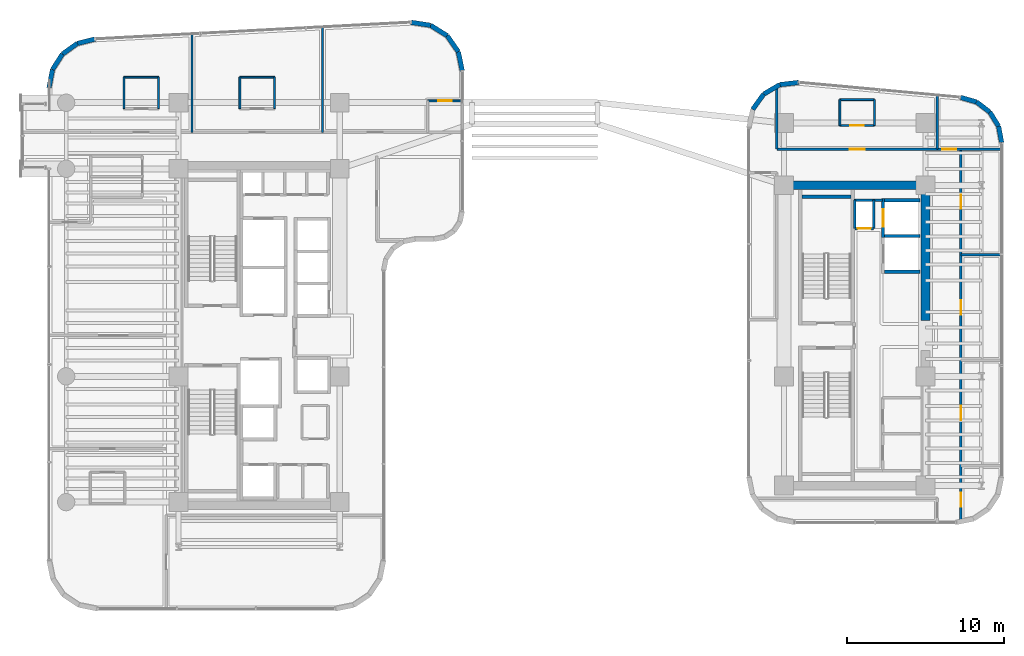
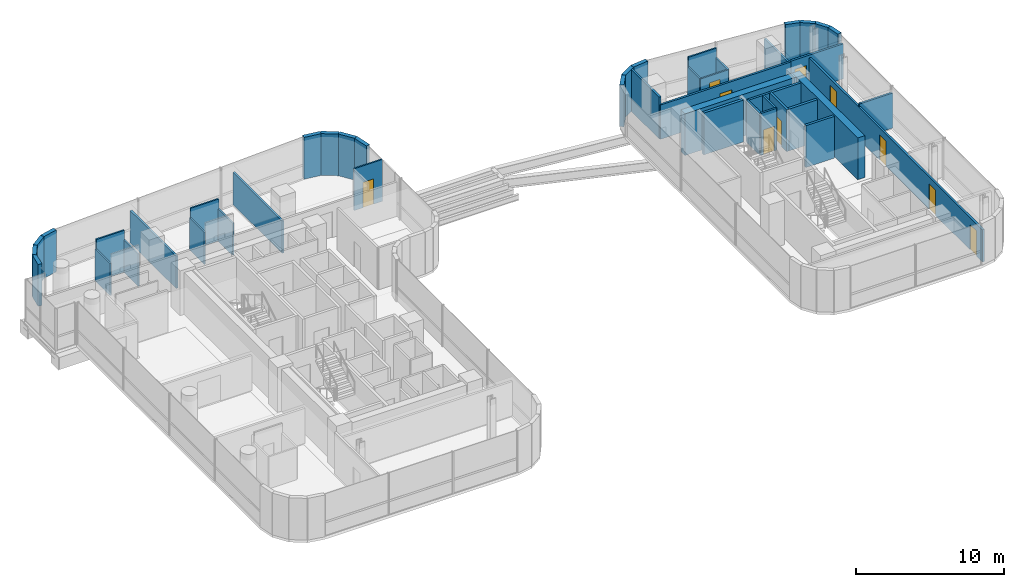
# One storey, part 31 of 36: 45 walls, 10 doors, 10 openings.
"""IFC4 building model written with IfcOpenShell, lengths in metres."""

import ifcopenshell
import ifcopenshell.guid

model = None  # the IFC model being written
_history = None  # IfcOwnerHistory: only IFC2X3 demands one
_inside = {}  # id of a spatial element -> (the spatial element, [elements in it])
_under = {}  # id of a project, library or spatial element -> (it, [spatial elements below it])
_declared = {}  # id of a project -> (the project, [libraries it declares])
_typed = {}  # id of a type object -> (the type object, [elements of that type])
_made_of = {}  # id of a material, layer set ... -> (it, [elements and type objects made of it])


def new_model(schema):
    """Start an empty IFC model of exactly this schema.

    Asked for "IFC4X3", IfcOpenShell would pick the latest addendum, in which some entities
    have other attributes; the version numbers below select the first issue.
    IFC2X3 requires an IfcOwnerHistory on every rooted entity: one is made here for all.
    """
    global model, _history
    if schema == "IFC4X3":
        model = ifcopenshell.file(schema_version=(4, 3, 0, 0))
    else:
        model = ifcopenshell.file(schema=schema)
    _inside.clear()
    _under.clear()
    _declared.clear()
    _typed.clear()
    _made_of.clear()
    _history = None
    if model.schema == "IFC2X3":
        org = make("IfcOrganization", Name="unknown")
        user = make(
            "IfcPersonAndOrganization",
            ThePerson=make("IfcPerson", FamilyName="unknown"),
            TheOrganization=org,
        )
        app = make(
            "IfcApplication",
            ApplicationDeveloper=org,
            Version="unknown",
            ApplicationFullName="unknown",
            ApplicationIdentifier="unknown",
        )
        _history = make(
            "IfcOwnerHistory",
            OwningUser=user,
            OwningApplication=app,
            ChangeAction="ADDED",
            CreationDate=0,
        )
    return model


def make(cls, **values):
    """One entity of the class cls with the attributes given. An attribute that is None is left unset."""
    return model.create_entity(
        cls, **{name: value for name, value in values.items() if value is not None}
    )


def rooted(cls, **values):
    """An entity with a GlobalId (a new one), such as an element, a storey or a relation."""
    return make(cls, GlobalId=ifcopenshell.guid.new(), OwnerHistory=_history, **values)


def si_unit(unit_type, name, prefix=None):
    """IfcSIUnit, for example si_unit("LENGTHUNIT", "METRE", prefix="MILLI")."""
    return make("IfcSIUnit", UnitType=unit_type, Prefix=prefix, Name=name)


def assignment(units):
    """IfcUnitAssignment: the units of a project."""
    return None if units is None else make("IfcUnitAssignment", Units=units)


def point(xyz):
    """IfcCartesianPoint."""
    return None if xyz is None else make("IfcCartesianPoint", Coordinates=xyz)


def direction(xyz):
    """IfcDirection."""
    return None if xyz is None else make("IfcDirection", DirectionRatios=xyz)


def frame(location, z_axis=None, x_axis=None):
    """IfcAxis2Placement3D, a coordinate frame: its origin and axes. An axis left out is left unset."""
    return make(
        "IfcAxis2Placement3D",
        Location=point(location),
        Axis=direction(z_axis),
        RefDirection=direction(x_axis),
    )


def frame_2d(location, x_axis=None):
    """IfcAxis2Placement2D, a coordinate frame in the plane: its origin and x axis."""
    return make(
        "IfcAxis2Placement2D", Location=point(location), RefDirection=direction(x_axis)
    )


def origin():
    """The frame at (0, 0, 0) with its axes left unset."""
    return frame((0.0, 0.0, 0.0))


def place(relative_to, where):
    """IfcLocalPlacement: puts the frame where relative to a parent placement (None: the world)."""
    return make(
        "IfcLocalPlacement", PlacementRelTo=relative_to, RelativePlacement=where
    )


def context(
    kind, dimensions, precision=None, world=None, true_north=None, identifier=None
):
    """IfcGeometricRepresentationContext, for example the 3D "Model" context."""
    return make(
        "IfcGeometricRepresentationContext",
        ContextIdentifier=identifier,
        ContextType=kind,
        CoordinateSpaceDimension=dimensions,
        Precision=precision,
        WorldCoordinateSystem=world,
        TrueNorth=true_north,
    )


def subcontext(parent, identifier, kind, view, scale=None):
    """IfcGeometricRepresentationSubContext, for example "Body" below "Model"."""
    return make(
        "IfcGeometricRepresentationSubContext",
        ContextIdentifier=identifier,
        ContextType=kind,
        ParentContext=parent,
        TargetScale=scale,
        TargetView=view,
    )


def project(units=None, contexts=None):
    """IfcProject with its units and contexts."""
    return rooted(
        "IfcProject",
        Name="project",
        RepresentationContexts=contexts,
        UnitsInContext=assignment(units),
    )


def spatial(cls, under=None, at=None, **own):
    """A site, building, storey or space (cls), placed at a placement, below another one or the project."""
    s = rooted(cls, ObjectPlacement=at, **own)
    if under is not None:
        _under.setdefault(under.id(), (under, []))[1].append(s)
    return s


def profile(cls, at=None, kind="AREA", **sizes):
    """A parametric profile (cls). Its sizes go by their IFC names, for example OverallWidth=200.0."""
    return make(cls, ProfileType=kind, Position=at, **sizes)


def rectangle(**sizes):
    """IfcRectangleProfileDef."""
    return profile("IfcRectangleProfileDef", **sizes)


def extrude(swept, where, along, depth):
    """IfcExtrudedAreaSolid: the profile swept, set in the frame where, extruded along a direction by depth."""
    return make(
        "IfcExtrudedAreaSolid",
        SweptArea=swept,
        Position=where,
        ExtrudedDirection=direction(along),
        Depth=depth,
    )


def shape(context_of_items, identifier, shape_type, items):
    """IfcShapeRepresentation: the items that make up one representation, for example the "Body"."""
    return make(
        "IfcShapeRepresentation",
        ContextOfItems=context_of_items,
        RepresentationIdentifier=identifier,
        RepresentationType=shape_type,
        Items=items,
    )


def material(Name=None, Category=None):
    """IfcMaterial."""
    return make("IfcMaterial", Name=Name, Category=Category)


def layer(
    of_material, thickness, ventilated=None, Name=None, Category=None, Priority=None
):
    """IfcMaterialLayer: one layer of a wall or slab, of a material (None: an air gap)."""
    return make(
        "IfcMaterialLayer",
        Material=of_material,
        LayerThickness=thickness,
        IsVentilated=ventilated,
        Name=Name,
        Category=Category,
        Priority=Priority,
    )


def layer_set(layers, Name=None):
    """IfcMaterialLayerSet."""
    return make("IfcMaterialLayerSet", MaterialLayers=layers, LayerSetName=Name)


def made_of(thing, what):
    """Note that an element or type object is made of a material, layer set ...; save() writes the relation."""
    if what is not None:
        _made_of.setdefault(what.id(), (what, []))[1].append(thing)
    return thing


def type_object(cls, material=None, **own):
    """A type object (cls), such as IfcWallType, which elements share."""
    return made_of(rooted(cls, **own), material)


def element(
    cls,
    number,
    at=None,
    inside=None,
    cuts=None,
    type_object=None,
    material=None,
    context=None,
    identifier="Body",
    shape_type=None,
    held_by="IfcProductDefinitionShape",
    body=None,
    shapes=None,
    **own,
):
    """One element of the class cls, such as IfcWall. Its Tag is "e" and its number.

    at: its placement. inside: the storey or other place that contains it. cuts: it is an
    opening in that element (IfcRelVoidsElement). A single representation is given by context,
    identifier, shape_type and body (its items); several are given by shapes. held_by: the class
    of the entity that holds the representations. save() writes the other relations.
    """
    e = rooted(cls, Tag="e%d" % number, ObjectPlacement=at, **own)
    if body is not None:
        shapes = [shape(context, identifier, shape_type, body)]
    if shapes is not None:
        e.Representation = make(held_by, Representations=shapes)
    if inside is not None:
        _inside.setdefault(inside.id(), (inside, []))[1].append(e)
    if cuts is not None:
        rooted(
            "IfcRelVoidsElement", RelatingBuildingElement=cuts, RelatedOpeningElement=e
        )
    if type_object is not None:
        _typed.setdefault(type_object.id(), (type_object, []))[1].append(e)
    return made_of(e, material)


def fill(opening, filler):
    """IfcRelFillsElement: the door or window that sits in an opening."""
    return rooted(
        "IfcRelFillsElement",
        RelatingOpeningElement=opening,
        RelatedBuildingElement=filler,
    )


def aggregate(whole, parts):
    """IfcRelAggregates: a whole, such as a stair, and the parts it consists of."""
    return rooted("IfcRelAggregates", RelatingObject=whole, RelatedObjects=parts)


def save(model, path):
    """Write the relations noted so far, then the file.

    IfcRelAggregates (storeys below a building ...), IfcRelContainedInSpatialStructure (elements
    in a storey), IfcRelDefinesByType, IfcRelAssociatesMaterial and IfcRelDeclares: one each for
    every whole, place, type object, material and project.
    """
    for whole, parts in _under.values():
        aggregate(whole, parts)
    for where, things in _inside.values():
        rooted(
            "IfcRelContainedInSpatialStructure",
            RelatedElements=things,
            RelatingStructure=where,
        )
    for kind, things in _typed.values():
        rooted("IfcRelDefinesByType", RelatedObjects=things, RelatingType=kind)
    for what, things in _made_of.values():
        rooted("IfcRelAssociatesMaterial", RelatedObjects=things, RelatingMaterial=what)
    for by, libraries in _declared.values():
        rooted("IfcRelDeclares", RelatingContext=by, RelatedDefinitions=libraries)
    model.write(path)


model = new_model("IFC4")

# Units and contexts
model_context = context("Model", 3, precision=1e-05, world=origin(), true_north=direction((0.0, 1.0)))
body_context = subcontext(model_context, "Body", "Model", "MODEL_VIEW")
ifc_project = project(units=[si_unit("LENGTHUNIT", "METRE"), si_unit("AREAUNIT", "SQUARE_METRE"), si_unit("VOLUMEUNIT", "CUBIC_METRE"), si_unit("PLANEANGLEUNIT", "RADIAN"), si_unit("MASSUNIT", "GRAM", prefix="KILO")], contexts=[model_context])

# Site, building, storey
site_placement = place(None, origin())
site = spatial("IfcSite", under=ifc_project, at=site_placement, CompositionType="ELEMENT")
building_placement = place(site_placement, origin())
building = spatial("IfcBuilding", under=site, at=building_placement, Name="Valdorenza Pilgrim Sanctuary Tower", CompositionType="ELEMENT")
storey_placement = place(building_placement, frame((0.0, 0.0, 153.800048828125)))
storey = spatial("IfcBuildingStorey", under=building, at=storey_placement, Name="L39", CompositionType="ELEMENT", Elevation=153.800048828125)

# Wall, opening, door
ifc_material_1 = material(Name="Acoustic twin-stud gypsum partition", Category="gypsum")
ifc_layer_1 = layer(ifc_material_1, 0.159912109375, Name="Acoustic twin-stud gypsum partition")
ifc_layer_set_1 = layer_set([ifc_layer_1], Name="Acoustic twin-stud gypsum partition")
wall_type_1 = type_object("IfcWallType", Name="WAL-COR-160", PredefinedType="PARTITIONING", material=ifc_layer_set_1)
wall_1_placement = place(storey_placement, frame((20.35009765625, 6.800048828125, 0.0), z_axis=(0.0, 0.0, 1.0), x_axis=(1.0, 0.0, 0.0)))
wall_1 = element("IfcWall", 1, at=wall_1_placement, inside=storey, type_object=wall_type_1, Name="L39 Core B Riser South Wall", PredefinedType="PARTITIONING", context=body_context, shape_type="SweptSolid", body=[
    extrude(rectangle(XDim=1.199951171875, YDim=0.159912109375, at=frame_2d((0.60009765625, 0.0))), origin(), (0.0, 0.0, 1.0), 3.4599609375),
])
opening_1_placement = place(wall_1_placement, frame((0.175048828125, 0.0, 0.0)))
opening_1 = element("IfcOpeningElement", 2, at=opening_1_placement, cuts=wall_1, Name="Opening DR-RS1", PredefinedType="OPENING", context=body_context, shape_type="SweptSolid", body=[
    extrude(rectangle(XDim=0.85009765625, YDim=2.050048828125, at=frame_2d((0.425048828125, 1.02490234375))), frame((0.0, 0.0947265625, 0.0), z_axis=(0.0, -1.0, 0.0), x_axis=(1.0, 0.0, 0.0)), (0.0, 0.0, 1.0), 0.189697265625),
])
ifc_material_2 = material(Name="Painted galvanized steel", Category="steel")
door_type_1 = type_object("IfcDoorType", Name="DR-RSR-850", OperationType="NOTDEFINED", PredefinedType="DOOR", material=ifc_material_2)
door_1_placement = place(opening_1_placement, origin())
door_1 = element("IfcDoor", 3, at=door_1_placement, inside=storey, type_object=door_type_1, Name="L39 Core B Electrical Riser Door", OperationType="SINGLE_SWING_LEFT", OverallHeight=2.050048828125, OverallWidth=0.85009765625, PredefinedType="DOOR", context=body_context, shape_type="SweptSolid", body=[
    extrude(rectangle(XDim=0.85009765625, YDim=2.050048828125, at=frame_2d((0.425048828125, 1.02490234375))), frame((0.0, 0.02490234375, 0.0), z_axis=(0.0, -1.0, 0.0), x_axis=(1.0, 0.0, 0.0)), (0.0, 0.0, 1.0), 0.050048828125),
])
fill(opening_1, door_1)

# Walls
for number, where, z_axis, x_axis, name in (
    (4, (21.550048828125, 6.800048828125, 0.0), (0.0, 0.0, 1.0), (0.0, 1.0, 0.0), "L39 Core B Riser East Wall"),
    (5, (20.35009765625, 6.800048828125, 0.0), (0.0, 0.0, 1.0), (0.0, 1.0, 0.0), "L39 Core B Riser West Wall"),
):
    element("IfcWall", number, at=place(storey_placement, frame(where, z_axis=z_axis, x_axis=x_axis)), inside=storey, type_object=wall_type_1, Name=name, PredefinedType="PARTITIONING", context=body_context, shape_type="SweptSolid", body=[
        extrude(rectangle(XDim=1.800048828125, YDim=0.159912109375, at=frame_2d((0.89990234375, 0.0))), origin(), (0.0, 0.0, 1.0), 3.4599609375),
    ])
wall_2_placement = place(storey_placement, frame((20.300048828125, 8.60009765625, 0.0), z_axis=(0.0, 0.0, 1.0), x_axis=(1.0, 0.0, 0.0)))
element("IfcWall", 6, at=wall_2_placement, inside=storey, type_object=wall_type_1, Name="L39 Core B Lift Hall North End Wall", PredefinedType="PARTITIONING", context=body_context, shape_type="SweptSolid", body=[
    extrude(rectangle(XDim=1.820068359375, YDim=0.159912109375, at=frame_2d((0.91015625, 0.0))), origin(), (0.0, 0.0, 1.0), 3.4599609375),
])

# Wall, opening, door
wall_3_placement = place(storey_placement, frame((15.39990234375, 11.85009765625, 0.0), z_axis=(0.0, 0.0, 1.0), x_axis=(1.0, 0.0, 0.0)))
wall_3 = element("IfcWall", 7, at=wall_3_placement, inside=storey, type_object=wall_type_1, Name="L39 Wing B North Corridor Wall", PredefinedType="PARTITIONING", context=body_context, shape_type="SweptSolid", body=[
    extrude(rectangle(XDim=10.2001953125, YDim=0.159912109375, at=frame_2d((5.10009765625, 0.0))), origin(), (0.0, 0.0, 1.0), 2.833984375),
])
opening_2_placement = place(wall_3_placement, frame((4.625, 0.0, 0.0)))
opening_2 = element("IfcOpeningElement", 8, at=opening_2_placement, cuts=wall_3, Name="Opening DR-UN1", PredefinedType="OPENING", context=body_context, shape_type="SweptSolid", body=[
    extrude(rectangle(XDim=0.949951171875, YDim=2.14990234375, at=frame_2d((0.47509765625, 1.074951171875))), frame((0.0, 0.0947265625, 0.0), z_axis=(0.0, -1.0, 0.0), x_axis=(1.0, 0.0, 0.0)), (0.0, 0.0, 1.0), 0.189697265625),
])
ifc_material_3 = material(Name="Solid-core European oak timber", Category="wood")
door_type_2 = type_object("IfcDoorType", Name="DR-UNIT-950", OperationType="NOTDEFINED", PredefinedType="DOOR", material=ifc_material_3)
door_2_placement = place(opening_2_placement, origin())
door_2 = element("IfcDoor", 9, at=door_2_placement, inside=storey, type_object=door_type_2, Name="L39 East North Guest Room L39-EN1 Entrance Door", OperationType="SINGLE_SWING_RIGHT", OverallHeight=2.14990234375, OverallWidth=0.949951171875, PredefinedType="DOOR", context=body_context, shape_type="SweptSolid", body=[
    extrude(rectangle(XDim=0.949951171875, YDim=2.14990234375, at=frame_2d((0.47509765625, 1.074951171875))), frame((0.0, 0.02490234375, 0.0), z_axis=(0.0, -1.0, 0.0), x_axis=(1.0, 0.0, 0.0)), (0.0, 0.0, 1.0), 0.050048828125),
])
fill(opening_2, door_2)

# Walls
wall_4_placement = place(storey_placement, frame((15.39990234375, 11.85009765625, 0.0), z_axis=(0.0, 0.0, 1.0), x_axis=(0.0, 1.0, 0.0)))
element("IfcWall", 10, at=wall_4_placement, inside=storey, type_object=wall_type_1, Name="L39 Wing B North West Wall", PredefinedType="PARTITIONING", context=body_context, shape_type="SweptSolid", body=[
    extrude(rectangle(XDim=3.846923828125, YDim=0.159912109375, at=frame_2d((1.92333984375, 0.0))), origin(), (0.0, 0.0, 1.0), 3.4599609375),
])
wall_5_placement = place(storey_placement, frame((25.60009765625, 11.85009765625, 0.0), z_axis=(0.0, 0.0, 1.0), x_axis=(0.0, 1.0, 0.0)))
element("IfcWall", 11, at=wall_5_placement, inside=storey, type_object=wall_type_1, Name="L39 Wing B North East Wall", PredefinedType="PARTITIONING", context=body_context, shape_type="SweptSolid", body=[
    extrude(rectangle(XDim=3.426025390625, YDim=0.159912109375, at=frame_2d((1.712890625, 0.0))), origin(), (0.0, 0.0, 1.0), 2.666015625),
])

# Wall, openings, doors
wall_6_placement = place(storey_placement, frame((27.10009765625, -11.70068359375, 0.0), z_axis=(0.0, 0.0, 1.0), x_axis=(0.0, 1.0, 0.0)))
wall_6 = element("IfcWall", 12, at=wall_6_placement, inside=storey, type_object=wall_type_1, Name="L39 Wing B East Corridor Wall", PredefinedType="PARTITIONING", context=body_context, shape_type="SweptSolid", body=[
    extrude(rectangle(XDim=23.55078125, YDim=0.159912109375, at=frame_2d((11.775390625, 0.0))), origin(), (0.0, 0.0, 1.0), 2.666015625),
])
opening_3_placement = place(wall_6_placement, frame((0.800048828125, 0.0, 0.0)))
opening_3 = element("IfcOpeningElement", 13, at=opening_3_placement, cuts=wall_6, Name="Opening DR-RM1", PredefinedType="OPENING", context=body_context, shape_type="SweptSolid", body=[
    extrude(rectangle(XDim=0.89990234375, YDim=2.10009765625, at=frame_2d((0.449951171875, 1.050048828125))), frame((0.0, 0.0947265625, 0.0), z_axis=(0.0, -1.0, 0.0), x_axis=(1.0, 0.0, 0.0)), (0.0, 0.0, 1.0), 0.189697265625),
])
opening_4_placement = place(wall_6_placement, frame((6.320068359375, 0.0, 0.0)))
opening_4 = element("IfcOpeningElement", 14, at=opening_4_placement, cuts=wall_6, Name="Opening DR-RM1", PredefinedType="OPENING", context=body_context, shape_type="SweptSolid", body=[
    extrude(rectangle(XDim=0.89990234375, YDim=2.10009765625, at=frame_2d((0.449951171875, 1.050048828125))), frame((0.0, 0.0947265625, 0.0), z_axis=(0.0, -1.0, 0.0), x_axis=(1.0, 0.0, 0.0)), (0.0, 0.0, 1.0), 0.189697265625),
])
opening_5_placement = place(wall_6_placement, frame((13.031982421875, 0.0, 0.0)))
opening_5 = element("IfcOpeningElement", 15, at=opening_5_placement, cuts=wall_6, Name="Opening DR-RM1", PredefinedType="OPENING", context=body_context, shape_type="SweptSolid", body=[
    extrude(rectangle(XDim=0.89990234375, YDim=2.10009765625, at=frame_2d((0.449951171875, 1.050048828125))), frame((0.0, 0.0947265625, 0.0), z_axis=(0.0, -1.0, 0.0), x_axis=(1.0, 0.0, 0.0)), (0.0, 0.0, 1.0), 0.189697265625),
])
opening_6_placement = place(wall_6_placement, frame((19.7451171875, 0.0, 0.0)))
opening_6 = element("IfcOpeningElement", 16, at=opening_6_placement, cuts=wall_6, Name="Opening DR-RM1", PredefinedType="OPENING", context=body_context, shape_type="SweptSolid", body=[
    extrude(rectangle(XDim=0.89990234375, YDim=2.10009765625, at=frame_2d((0.449951171875, 1.050048828125))), frame((0.0, 0.0947265625, 0.0), z_axis=(0.0, -1.0, 0.0), x_axis=(1.0, 0.0, 0.0)), (0.0, 0.0, 1.0), 0.189697265625),
])
door_type_3 = type_object("IfcDoorType", Name="DR-ROOM-900", OperationType="NOTDEFINED", PredefinedType="DOOR", material=ifc_material_3)
door_3_placement = place(opening_3_placement, origin())
door_3 = element("IfcDoor", 17, at=door_3_placement, inside=storey, type_object=door_type_3, Name="L39 East Sanctuary Scholar Office L39-EG1 Door", OperationType="SINGLE_SWING_RIGHT", OverallHeight=2.10009765625, OverallWidth=0.89990234375, PredefinedType="DOOR", context=body_context, shape_type="SweptSolid", body=[
    extrude(rectangle(XDim=0.89990234375, YDim=2.10009765625, at=frame_2d((0.449951171875, 1.050048828125))), frame((0.0, 0.02490234375, 0.0), z_axis=(0.0, -1.0, 0.0), x_axis=(1.0, 0.0, 0.0)), (0.0, 0.0, 1.0), 0.050048828125),
])
fill(opening_3, door_3)
door_4_placement = place(opening_4_placement, frame((0.89990234375, 0.0, 0.0), z_axis=(0.0, 0.0, 1.0), x_axis=(-1.0, 0.0, 0.0)))
door_4 = element("IfcDoor", 18, at=door_4_placement, inside=storey, type_object=door_type_3, Name="L39 East Sanctuary Scholar Office L39-EG2 Door", OperationType="SINGLE_SWING_LEFT", OverallHeight=2.10009765625, OverallWidth=0.89990234375, PredefinedType="DOOR", context=body_context, shape_type="SweptSolid", body=[
    extrude(rectangle(XDim=0.89990234375, YDim=2.10009765625, at=frame_2d((0.449951171875, 1.050048828125))), frame((0.0, 0.02490234375, 0.0), z_axis=(0.0, -1.0, 0.0), x_axis=(1.0, 0.0, 0.0)), (0.0, 0.0, 1.0), 0.050048828125),
])
fill(opening_4, door_4)
door_5_placement = place(opening_5_placement, origin())
door_5 = element("IfcDoor", 19, at=door_5_placement, inside=storey, type_object=door_type_3, Name="L39 East Sanctuary Scholar Office L39-EG3 Door", OperationType="SINGLE_SWING_RIGHT", OverallHeight=2.10009765625, OverallWidth=0.89990234375, PredefinedType="DOOR", context=body_context, shape_type="SweptSolid", body=[
    extrude(rectangle(XDim=0.89990234375, YDim=2.10009765625, at=frame_2d((0.449951171875, 1.050048828125))), frame((0.0, 0.02490234375, 0.0), z_axis=(0.0, -1.0, 0.0), x_axis=(1.0, 0.0, 0.0)), (0.0, 0.0, 1.0), 0.050048828125),
])
fill(opening_5, door_5)
door_6_placement = place(opening_6_placement, frame((0.89990234375, 0.0, 0.0), z_axis=(0.0, 0.0, 1.0), x_axis=(-1.0, 0.0, 0.0)))
door_6 = element("IfcDoor", 20, at=door_6_placement, inside=storey, type_object=door_type_3, Name="L39 East Sanctuary Scholar Office L39-EG4 Door", OperationType="SINGLE_SWING_LEFT", OverallHeight=2.10009765625, OverallWidth=0.89990234375, PredefinedType="DOOR", context=body_context, shape_type="SweptSolid", body=[
    extrude(rectangle(XDim=0.89990234375, YDim=2.10009765625, at=frame_2d((0.449951171875, 1.050048828125))), frame((0.0, 0.02490234375, 0.0), z_axis=(0.0, -1.0, 0.0), x_axis=(1.0, 0.0, 0.0)), (0.0, 0.0, 1.0), 0.050048828125),
])
fill(opening_6, door_6)

# Wall, opening, door
wall_7_placement = place(storey_placement, frame((25.60009765625, 11.85009765625, 0.0), z_axis=(0.0, 0.0, 1.0), x_axis=(1.0, 0.0, 0.0)))
wall_7 = element("IfcWall", 21, at=wall_7_placement, inside=storey, type_object=wall_type_1, Name="L39 East Wing NE Corner South Wall", PredefinedType="PARTITIONING", context=body_context, shape_type="SweptSolid", body=[
    extrude(rectangle(XDim=4.08984375, YDim=0.159912109375, at=frame_2d((2.044921875, 0.0))), origin(), (0.0, 0.0, 1.0), 2.89599609375),
])
opening_7_placement = place(wall_7_placement, frame((0.300048828125, 0.0, 0.0)))
opening_7 = element("IfcOpeningElement", 22, at=opening_7_placement, cuts=wall_7, Name="Opening DR-RM1", PredefinedType="OPENING", context=body_context, shape_type="SweptSolid", body=[
    extrude(rectangle(XDim=0.89990234375, YDim=2.10009765625, at=frame_2d((0.449951171875, 1.050048828125))), frame((0.0, 0.0947265625, 0.0), z_axis=(0.0, -1.0, 0.0), x_axis=(1.0, 0.0, 0.0)), (0.0, 0.0, 1.0), 0.189697265625),
])
door_7_placement = place(opening_7_placement, origin())
door_7 = element("IfcDoor", 23, at=door_7_placement, inside=storey, type_object=door_type_3, Name="L39 East North Alcove Office L39 Door", OperationType="SINGLE_SWING_LEFT", OverallHeight=2.10009765625, OverallWidth=0.89990234375, PredefinedType="DOOR", context=body_context, shape_type="SweptSolid", body=[
    extrude(rectangle(XDim=0.89990234375, YDim=2.10009765625, at=frame_2d((0.449951171875, 1.050048828125))), frame((0.0, 0.02490234375, 0.0), z_axis=(0.0, -1.0, 0.0), x_axis=(1.0, 0.0, 0.0)), (0.0, 0.0, 1.0), 0.050048828125),
])
fill(opening_7, door_7)

# Walls
ifc_material_4 = material(Name="Concrete C50/60", Category="concrete")
ifc_layer_2 = layer(ifc_material_4, 0.550048828125, Name="Concrete C50/60")
ifc_layer_set_2 = layer_set([ifc_layer_2], Name="Concrete C50/60")
wall_type_2 = type_object("IfcWallType", Name="WAL-COR-550", PredefinedType="SHEAR", material=ifc_layer_set_2)
wall_8_placement = place(storey_placement, frame((24.85009765625, 0.949951171875, 0.0), z_axis=(0.0, 0.0, 1.0), x_axis=(0.0, 1.0, 0.0)))
element("IfcWall", 24, at=wall_8_placement, inside=storey, type_object=wall_type_2, Name="L39 Split Core B Shear Wall EN", PredefinedType="SHEAR", context=body_context, shape_type="SweptSolid", body=[
    extrude(rectangle(XDim=8.875, YDim=0.550048828125, at=frame_2d((4.4375, 0.0))), origin(), (0.0, 0.0, 1.0), 3.4599609375),
])
wall_9_placement = place(storey_placement, frame((15.85009765625, 9.550048828125, 0.0), z_axis=(0.0, 0.0, 1.0), x_axis=(1.0, 0.0, 0.0)))
element("IfcWall", 25, at=wall_9_placement, inside=storey, type_object=wall_type_2, Name="L39 Split Core B Shear Wall N", PredefinedType="SHEAR", context=body_context, shape_type="SweptSolid", body=[
    extrude(rectangle(XDim=9.0, YDim=0.550048828125, at=frame_2d((4.5, 0.0))), origin(), (0.0, 0.0, 1.0), 3.4599609375),
])
ifc_material_5 = material(Name="Honed travertine limestone", Category="masonry")
ifc_layer_3 = layer(ifc_material_5, 0.300048828125, Name="Honed travertine limestone")
ifc_layer_set_3 = layer_set([ifc_layer_3], Name="Honed travertine limestone")
wall_type_3 = type_object("IfcWallType", Name="WAL-EXT-300", PredefinedType="SOLIDWALL", material=ifc_layer_set_3)
wall_10_placement = place(storey_placement, frame((-30.889892578125, 15.754150390625, 0.0), z_axis=(0.0, 0.0, 1.0), x_axis=(0.188562397879, 0.982061210977, 0.0)))
element("IfcWall", 26, at=wall_10_placement, inside=storey, type_object=wall_type_3, Name="L39 Rounded Wind-Corner Stone Pier 2", PredefinedType="SOLIDWALL", context=body_context, shape_type="SweptSolid", body=[
    extrude(rectangle(XDim=1.175537109375, YDim=0.300048828125, at=frame_2d((0.587890625, 0.0))), origin(), (0.0, 0.0, 1.0), 3.4599609375),
])
for number, where, z_axis, x_axis, name in (
    (27, (-30.668212890625, 16.90869140625, 0.0), (0.0, 0.0, 1.0), (0.539125072412, 0.842225715766, 0.0), "L39 Rounded Wind-Corner Stone Pier 3"),
    (28, (-30.040283203125, 17.8896484375, 0.0), (0.0, 0.0, 1.0), (0.81257061936, 0.582862752758, 0.0), "L39 Rounded Wind-Corner Stone Pier 4"),
):
    element("IfcWall", number, at=place(storey_placement, frame(where, z_axis=z_axis, x_axis=x_axis)), inside=storey, type_object=wall_type_3, Name=name, PredefinedType="SOLIDWALL", context=body_context, shape_type="SweptSolid", body=[
        extrude(rectangle(XDim=1.164794921875, YDim=0.300048828125, at=frame_2d((0.58251953125, 0.0))), origin(), (0.0, 0.0, 1.0), 3.4599609375),
    ])
wall_11_placement = place(storey_placement, frame((-29.09375, 18.568603515625, 0.0), z_axis=(0.0, 0.0, 1.0), x_axis=(0.970762249107, 0.24004302887, 0.0)))
element("IfcWall", 29, at=wall_11_placement, inside=storey, type_object=wall_type_3, Name="L39 Rounded Wind-Corner Stone Pier 5", PredefinedType="SOLIDWALL", context=body_context, shape_type="SweptSolid", body=[
    extrude(rectangle(XDim=1.17578125, YDim=0.300048828125, at=frame_2d((0.587890625, 0.0))), origin(), (0.0, 0.0, 1.0), 3.4599609375),
])
wall_12_placement = place(storey_placement, frame((-7.874267578125, 19.91162109375, 0.0), z_axis=(0.0, 0.0, 1.0), x_axis=(0.988741655411, -0.149632679769, 0.0)))
element("IfcWall", 30, at=wall_12_placement, inside=storey, type_object=wall_type_3, Name="L39 Rounded Wind-Corner Stone Pier 7", PredefinedType="SOLIDWALL", context=body_context, shape_type="SweptSolid", body=[
    extrude(rectangle(XDim=1.25634765625, YDim=0.300048828125, at=frame_2d((0.628173828125, 0.0))), origin(), (0.0, 0.0, 1.0), 3.4599609375),
])
wall_13_placement = place(storey_placement, frame((-6.632080078125, 19.7236328125, 0.0), z_axis=(0.0, 0.0, 1.0), x_axis=(0.849285325289, -0.527934121126, 0.0)))
element("IfcWall", 31, at=wall_13_placement, inside=storey, type_object=wall_type_3, Name="L39 Rounded Wind-Corner Stone Pier 8", PredefinedType="SOLIDWALL", context=body_context, shape_type="SweptSolid", body=[
    extrude(rectangle(XDim=1.244384765625, YDim=0.300048828125, at=frame_2d((0.6220703125, 0.0))), origin(), (0.0, 0.0, 1.0), 3.4599609375),
])
wall_14_placement = place(storey_placement, frame((-5.5751953125, 19.066650390625, 0.0), z_axis=(0.0, 0.0, 1.0), x_axis=(0.571960670617, -0.820281044074, 0.0)))
element("IfcWall", 32, at=wall_14_placement, inside=storey, type_object=wall_type_3, Name="L39 Rounded Wind-Corner Stone Pier 9", PredefinedType="SOLIDWALL", context=body_context, shape_type="SweptSolid", body=[
    extrude(rectangle(XDim=1.24462890625, YDim=0.300048828125, at=frame_2d((0.622314453125, 0.0))), origin(), (0.0, 0.0, 1.0), 3.4599609375),
])
wall_15_placement = place(storey_placement, frame((-4.86328125, 18.045654296875, 0.0), z_axis=(0.0, 0.0, 1.0), x_axis=(0.201532282172, -0.97948187285, 0.0)))
element("IfcWall", 33, at=wall_15_placement, inside=storey, type_object=wall_type_3, Name="L39 Rounded Wind-Corner Stone Pier 10", PredefinedType="SOLIDWALL", context=body_context, shape_type="SweptSolid", body=[
    extrude(rectangle(XDim=1.25634765625, YDim=0.300048828125, at=frame_2d((0.628173828125, 0.0))), origin(), (0.0, 0.0, 1.0), 3.4599609375),
])
for number, where, z_axis, x_axis, name in (
    (34, (13.858154296875, 14.377197265625, 0.0), (0.0, 0.0, 1.0), (0.583948425707, 0.811790758825, 0.0), "L39 Rounded Wind-Corner Stone Pier 3"),
    (35, (14.553955078125, 15.344482421875, 0.0), (0.0, 0.0, 1.0), (0.861907880486, 0.507064892846, 0.0), "L39 Rounded Wind-Corner Stone Pier 4"),
):
    element("IfcWall", number, at=place(storey_placement, frame(where, z_axis=z_axis, x_axis=x_axis)), inside=storey, type_object=wall_type_3, Name=name, PredefinedType="SOLIDWALL", context=body_context, shape_type="SweptSolid", body=[
        extrude(rectangle(XDim=1.191650390625, YDim=0.300048828125, at=frame_2d((0.595703125, 0.0))), origin(), (0.0, 0.0, 1.0), 3.4599609375),
    ])
wall_16_placement = place(storey_placement, frame((15.5810546875, 15.94873046875, 0.0), z_axis=(0.0, 0.0, 1.0), x_axis=(0.993288417722, 0.115663819837, 0.0)))
element("IfcWall", 36, at=wall_16_placement, inside=storey, type_object=wall_type_3, Name="L39 Rounded Wind-Corner Stone Pier 5", PredefinedType="SOLIDWALL", context=body_context, shape_type="SweptSolid", body=[
    extrude(rectangle(XDim=1.203125, YDim=0.300048828125, at=frame_2d((0.6015625, 0.0))), origin(), (0.0, 0.0, 1.0), 3.4599609375),
])
wall_17_placement = place(storey_placement, frame((27.0546875, 15.14208984375, 0.0), z_axis=(0.0, 0.0, 1.0), x_axis=(0.962012179147, -0.273006533206, 0.0)))
element("IfcWall", 37, at=wall_17_placement, inside=storey, type_object=wall_type_3, Name="L39 Rounded Wind-Corner Stone Pier 7", PredefinedType="SOLIDWALL", context=body_context, shape_type="SweptSolid", body=[
    extrude(rectangle(XDim=1.072265625, YDim=0.300048828125, at=frame_2d((0.5361328125, 0.0))), origin(), (0.0, 0.0, 1.0), 3.4599609375),
])
for number, where, z_axis, x_axis, name in (
    (38, (28.086181640625, 14.849365234375, 0.0), (0.0, 0.0, 1.0), (0.798147425144, -0.602462187806, 0.0), "L39 Rounded Wind-Corner Stone Pier 8"),
    (39, (28.93359375, 14.209716796875, 0.0), (0.0, 0.0, 1.0), (0.52675032424, -0.850020056183, 0.0), "L39 Rounded Wind-Corner Stone Pier 9"),
):
    element("IfcWall", number, at=place(storey_placement, frame(where, z_axis=z_axis, x_axis=x_axis)), inside=storey, type_object=wall_type_3, Name=name, PredefinedType="SOLIDWALL", context=body_context, shape_type="SweptSolid", body=[
        extrude(rectangle(XDim=1.061767578125, YDim=0.300048828125, at=frame_2d((0.53076171875, 0.0))), origin(), (0.0, 0.0, 1.0), 3.4599609375),
    ])
wall_18_placement = place(storey_placement, frame((29.492919921875, 13.30712890625, 0.0), z_axis=(0.0, 0.0, 1.0), x_axis=(0.183752343116, -0.98297257154, 0.0)))
element("IfcWall", 40, at=wall_18_placement, inside=storey, type_object=wall_type_3, Name="L39 Rounded Wind-Corner Stone Pier 10", PredefinedType="SOLIDWALL", context=body_context, shape_type="SweptSolid", body=[
    extrude(rectangle(XDim=1.072265625, YDim=0.300048828125, at=frame_2d((0.5361328125, 0.0))), origin(), (0.0, 0.0, 1.0), 3.4599609375),
])
ifc_material_6 = material(Name="Moisture-resistant gypsum partition", Category="gypsum")
ifc_layer_4 = layer(ifc_material_6, 0.1201171875, Name="Moisture-resistant gypsum partition")
ifc_layer_set_4 = layer_set([ifc_layer_4], Name="Moisture-resistant gypsum partition")
wall_type_4 = type_object("IfcWallType", Name="WAL-INT-120", PredefinedType="PARTITIONING", material=ifc_layer_set_4)
for number, where, z_axis, x_axis, name in (
    (41, (-26.125, 14.419921875, 0.0), (0.0, 0.0, 1.0), (0.0, 1.0, 0.0), "L39 North Guest Room L39-N1 En-suite West Wall"),
    (42, (-23.925048828125, 14.419921875, 0.0), (0.0, 0.0, 1.0), (0.0, 1.0, 0.0), "L39 North Guest Room L39-N1 En-suite East Wall"),
):
    element("IfcWall", number, at=place(storey_placement, frame(where, z_axis=z_axis, x_axis=x_axis)), inside=storey, type_object=wall_type_4, Name=name, PredefinedType="PARTITIONING", context=body_context, shape_type="SweptSolid", body=[
        extrude(rectangle(XDim=2.0, YDim=0.1201171875, at=frame_2d((1.0, 0.0))), origin(), (0.0, 0.0, 1.0), 2.666015625),
    ])
wall_19_placement = place(storey_placement, frame((-26.125, 16.419921875, 0.0), z_axis=(0.0, 0.0, 1.0), x_axis=(1.0, 0.0, 0.0)))
element("IfcWall", 43, at=wall_19_placement, inside=storey, type_object=wall_type_4, Name="L39 North Guest Room L39-N1 En-suite Back Wall", PredefinedType="PARTITIONING", context=body_context, shape_type="SweptSolid", body=[
    extrude(rectangle(XDim=2.199951171875, YDim=0.1201171875, at=frame_2d((1.10009765625, 0.0))), origin(), (0.0, 0.0, 1.0), 3.4599609375),
])
for number, where, z_axis, x_axis, name in (
    (44, (-18.75, 14.419921875, 0.0), (0.0, 0.0, 1.0), (0.0, 1.0, 0.0), "L39 North Guest Room L39-N2 En-suite West Wall"),
    (45, (-16.550048828125, 14.419921875, 0.0), (0.0, 0.0, 1.0), (0.0, 1.0, 0.0), "L39 North Guest Room L39-N2 En-suite East Wall"),
):
    element("IfcWall", number, at=place(storey_placement, frame(where, z_axis=z_axis, x_axis=x_axis)), inside=storey, type_object=wall_type_4, Name=name, PredefinedType="PARTITIONING", context=body_context, shape_type="SweptSolid", body=[
        extrude(rectangle(XDim=2.0, YDim=0.1201171875, at=frame_2d((1.0, 0.0))), origin(), (0.0, 0.0, 1.0), 2.666015625),
    ])
wall_20_placement = place(storey_placement, frame((-18.75, 16.419921875, 0.0), z_axis=(0.0, 0.0, 1.0), x_axis=(1.0, 0.0, 0.0)))
element("IfcWall", 46, at=wall_20_placement, inside=storey, type_object=wall_type_4, Name="L39 North Guest Room L39-N2 En-suite Back Wall", PredefinedType="PARTITIONING", context=body_context, shape_type="SweptSolid", body=[
    extrude(rectangle(XDim=2.199951171875, YDim=0.1201171875, at=frame_2d((1.10009765625, 0.0))), origin(), (0.0, 0.0, 1.0), 3.4599609375),
])

# Wall, opening, door
wall_21_placement = place(storey_placement, frame((-6.81005859375, 14.919921875, 0.0), z_axis=(0.0, 0.0, 1.0), x_axis=(1.0, 0.0, 0.0)))
wall_21 = element("IfcWall", 47, at=wall_21_placement, inside=storey, type_object=wall_type_4, Name="L39 North Guest Room L39-N3 En-suite Door Wall", PredefinedType="PARTITIONING", context=body_context, shape_type="SweptSolid", body=[
    extrude(rectangle(XDim=2.199951171875, YDim=0.1201171875, at=frame_2d((1.10009765625, 0.0))), origin(), (0.0, 0.0, 1.0), 3.4599609375),
])
opening_8_placement = place(wall_21_placement, frame((0.675048828125, 0.0, 0.0)))
opening_8 = element("IfcOpeningElement", 48, at=opening_8_placement, cuts=wall_21, Name="Opening DR-WC1", PredefinedType="OPENING", context=body_context, shape_type="SweptSolid", body=[
    extrude(rectangle(XDim=0.85009765625, YDim=2.10009765625, at=frame_2d((0.425048828125, 1.050048828125))), frame((0.0, 0.074951171875, 0.0), z_axis=(0.0, -1.0, 0.0), x_axis=(1.0, 0.0, 0.0)), (0.0, 0.0, 1.0), 0.14990234375),
])
ifc_material_7 = material(Name="Moisture-resistant lacquered timber", Category="wood")
door_type_4 = type_object("IfcDoorType", Name="DR-BATH-850", OperationType="NOTDEFINED", PredefinedType="DOOR", material=ifc_material_7)
door_8_placement = place(opening_8_placement, origin())
door_8 = element("IfcDoor", 49, at=door_8_placement, inside=storey, type_object=door_type_4, Name="L39 North Guest Room L39-N3 En-suite Bathroom Door", OperationType="SINGLE_SWING_RIGHT", OverallHeight=2.10009765625, OverallWidth=0.85009765625, PredefinedType="DOOR", context=body_context, shape_type="SweptSolid", body=[
    extrude(rectangle(XDim=0.85009765625, YDim=2.10009765625, at=frame_2d((0.425048828125, 1.050048828125))), frame((0.0, 0.02490234375, 0.0), z_axis=(0.0, -1.0, 0.0), x_axis=(1.0, 0.0, 0.0)), (0.0, 0.0, 1.0), 0.050048828125),
])
fill(opening_8, door_8)

# Walls
for number, where, z_axis, x_axis, name in (
    (50, (19.39990234375, 13.35009765625, 0.0), (0.0, 0.0, 1.0), (0.0, 1.0, 0.0), "L39 East North Guest Room L39-EN1 En-suite West Wall"),
    (51, (21.60009765625, 13.35009765625, 0.0), (0.0, 0.0, 1.0), (0.0, 1.0, 0.0), "L39 East North Guest Room L39-EN1 En-suite East Wall"),
):
    element("IfcWall", number, at=place(storey_placement, frame(where, z_axis=z_axis, x_axis=x_axis)), inside=storey, type_object=wall_type_4, Name=name, PredefinedType="PARTITIONING", context=body_context, shape_type="SweptSolid", body=[
        extrude(rectangle(XDim=1.64990234375, YDim=0.1201171875, at=frame_2d((0.824951171875, 0.0))), origin(), (0.0, 0.0, 1.0), 2.666015625),
    ])
wall_22_placement = place(storey_placement, frame((19.39990234375, 15.0, 0.0), z_axis=(0.0, 0.0, 1.0), x_axis=(1.0, 0.0, 0.0)))
element("IfcWall", 52, at=wall_22_placement, inside=storey, type_object=wall_type_4, Name="L39 East North Guest Room L39-EN1 En-suite Back Wall", PredefinedType="PARTITIONING", context=body_context, shape_type="SweptSolid", body=[
    extrude(rectangle(XDim=2.2001953125, YDim=0.1201171875, at=frame_2d((1.10009765625, 0.0))), origin(), (0.0, 0.0, 1.0), 3.4599609375),
])

# Wall, opening, door
wall_23_placement = place(storey_placement, frame((19.39990234375, 13.35009765625, 0.0), z_axis=(0.0, 0.0, 1.0), x_axis=(1.0, 0.0, 0.0)))
wall_23 = element("IfcWall", 53, at=wall_23_placement, inside=storey, type_object=wall_type_4, Name="L39 East North Guest Room L39-EN1 En-suite Door Wall", PredefinedType="PARTITIONING", context=body_context, shape_type="SweptSolid", body=[
    extrude(rectangle(XDim=2.2001953125, YDim=0.1201171875, at=frame_2d((1.10009765625, 0.0))), origin(), (0.0, 0.0, 1.0), 2.666015625),
])
opening_9_placement = place(wall_23_placement, frame((0.675048828125, 0.0, 0.0)))
opening_9 = element("IfcOpeningElement", 54, at=opening_9_placement, cuts=wall_23, Name="Opening DR-WC1", PredefinedType="OPENING", context=body_context, shape_type="SweptSolid", body=[
    extrude(rectangle(XDim=0.85009765625, YDim=2.10009765625, at=frame_2d((0.425048828125, 1.050048828125))), frame((0.0, 0.074951171875, 0.0), z_axis=(0.0, -1.0, 0.0), x_axis=(1.0, 0.0, 0.0)), (0.0, 0.0, 1.0), 0.14990234375),
])
door_9_placement = place(opening_9_placement, origin())
door_9 = element("IfcDoor", 55, at=door_9_placement, inside=storey, type_object=door_type_4, Name="L39 East North Guest Room L39-EN1 En-suite Bathroom Door", OperationType="SINGLE_SWING_LEFT", OverallHeight=2.10009765625, OverallWidth=0.85009765625, PredefinedType="DOOR", context=body_context, shape_type="SweptSolid", body=[
    extrude(rectangle(XDim=0.85009765625, YDim=2.10009765625, at=frame_2d((0.425048828125, 1.050048828125))), frame((0.0, 0.02490234375, 0.0), z_axis=(0.0, -1.0, 0.0), x_axis=(1.0, 0.0, 0.0)), (0.0, 0.0, 1.0), 0.050048828125),
])
fill(opening_9, door_9)

# Walls
ifc_material_8 = material(Name="Autoclaved aerated concrete blockwork", Category="masonry")
ifc_layer_5 = layer(ifc_material_8, 0.199951171875, Name="Autoclaved aerated concrete blockwork")
ifc_layer_set_5 = layer_set([ifc_layer_5], Name="Autoclaved aerated concrete blockwork")
wall_type_5 = type_object("IfcWallType", Name="WAL-SHF-200", PredefinedType="MOVABLE", material=ifc_layer_set_5)
for number, where, z_axis, x_axis, name in (
    (56, (22.25, 4.050048828125, 0.0), (0.0, 0.0, 1.0), (1.0, 0.0, 0.0), "L39 Lift PL-07 Hoistway Wall South"),
    (57, (22.25, 6.324951171875, 0.0), (0.0, 0.0, 1.0), (1.0, 0.0, 0.0), "L39 Lift PL-07 Hoistway Wall North"),
):
    element("IfcWall", number, at=place(storey_placement, frame(where, z_axis=z_axis, x_axis=x_axis)), inside=storey, type_object=wall_type_5, Name=name, PredefinedType="MOVABLE", context=body_context, shape_type="SweptSolid", body=[
        extrude(rectangle(XDim=2.22998046875, YDim=0.199951171875, at=frame_2d((1.114990234375, 0.0))), origin(), (0.0, 0.0, 1.0), 3.4599609375),
    ])

# Wall, opening, door
wall_24_placement = place(storey_placement, frame((22.14990234375, 6.22509765625, 0.0), z_axis=(0.0, 0.0, 1.0), x_axis=(0.0, 1.0, 0.0)))
wall_24 = element("IfcWall", 58, at=wall_24_placement, inside=storey, type_object=wall_type_5, Name="L39 Lift PL-08 Hoistway Wall West", PredefinedType="MOVABLE", context=body_context, shape_type="SweptSolid", body=[
    extrude(rectangle(XDim=2.474853515625, YDim=0.199951171875, at=frame_2d((1.2373046875, 0.0))), origin(), (0.0, 0.0, 1.0), 3.4599609375),
])
opening_10_placement = place(wall_24_placement, frame((0.6875, 0.0, 0.0)))
opening_10 = element("IfcOpeningElement", 59, at=opening_10_placement, cuts=wall_24, Name="Opening LD-01", PredefinedType="OPENING", context=body_context, shape_type="SweptSolid", body=[
    extrude(rectangle(XDim=1.10009765625, YDim=2.10009765625, at=frame_2d((0.550048828125, 1.050048828125))), frame((0.0, 0.11474609375, 0.0), z_axis=(0.0, -1.0, 0.0), x_axis=(1.0, 0.0, 0.0)), (0.0, 0.0, 1.0), 0.229736328125),
])
ifc_material_9 = material(Name="Brushed stainless steel Grade 316", Category="steel")
door_type_5 = type_object("IfcDoorType", Name="DR-LFT-1100", OperationType="DOUBLE_DOOR_SLIDING", PredefinedType="DOOR", material=ifc_material_9)
door_10_placement = place(opening_10_placement, origin())
door_10 = element("IfcDoor", 60, at=door_10_placement, inside=storey, type_object=door_type_5, Name="L39 Lift PL-08 Sliding Landing Door", OperationType="DOUBLE_DOOR_SLIDING", OverallHeight=2.10009765625, OverallWidth=1.10009765625, PredefinedType="DOOR", context=body_context, shape_type="SweptSolid", body=[
    extrude(rectangle(XDim=1.10009765625, YDim=2.10009765625, at=frame_2d((0.550048828125, 1.050048828125))), frame((0.0, 0.02490234375, 0.0), z_axis=(0.0, -1.0, 0.0), x_axis=(1.0, 0.0, 0.0)), (0.0, 0.0, 1.0), 0.050048828125),
])
fill(opening_10, door_10)

# Walls
wall_25_placement = place(storey_placement, frame((22.25, 8.60009765625, 0.0), z_axis=(0.0, 0.0, 1.0), x_axis=(1.0, 0.0, 0.0)))
element("IfcWall", 61, at=wall_25_placement, inside=storey, type_object=wall_type_5, Name="L39 Lift PL-08 Hoistway Wall North", PredefinedType="MOVABLE", context=body_context, shape_type="SweptSolid", body=[
    extrude(rectangle(XDim=2.22998046875, YDim=0.199951171875, at=frame_2d((1.114990234375, 0.0))), origin(), (0.0, 0.0, 1.0), 3.4599609375),
])
ifc_material_10 = material(Name="Concrete C40/50", Category="concrete")
ifc_layer_6 = layer(ifc_material_10, 0.219970703125, Name="Concrete C40/50")
ifc_layer_set_6 = layer_set([ifc_layer_6], Name="Concrete C40/50")
wall_type_6 = type_object("IfcWallType", Name="WAL-STR-SHF-220", PredefinedType="SHEAR", material=ifc_layer_set_6)
wall_26_placement = place(storey_placement, frame((17.0, 8.81005859375, 0.0), z_axis=(0.0, 0.0, 1.0), x_axis=(1.0, 0.0, 0.0)))
element("IfcWall", 62, at=wall_26_placement, inside=storey, type_object=wall_type_6, Name="L39 ST-B1 Structural Stairwell Wall N", PredefinedType="SHEAR", context=body_context, shape_type="SweptSolid", body=[
    extrude(rectangle(XDim=3.110107421875, YDim=0.219970703125, at=frame_2d((1.55517578125, 0.0))), origin(), (0.0, 0.0, 1.0), 3.4599609375),
])
ifc_layer_7 = layer(ifc_material_1, 0.14990234375, Name="Acoustic twin-stud gypsum partition")
ifc_layer_set_7 = layer_set([ifc_layer_7], Name="Acoustic twin-stud gypsum partition")
wall_type_7 = type_object("IfcWallType", Name="WAL-UNT-150", PredefinedType="PARTITIONING", material=ifc_layer_set_7)
wall_27_placement = place(storey_placement, frame((-21.800048828125, 12.919921875, 0.0), z_axis=(0.0, 0.0, 1.0), x_axis=(0.0, 1.0, 0.0)))
element("IfcWall", 63, at=wall_27_placement, inside=storey, type_object=wall_type_7, Name="L39 North Demising 1", PredefinedType="PARTITIONING", context=body_context, shape_type="SweptSolid", body=[
    extrude(rectangle(XDim=6.255859375, YDim=0.14990234375, at=frame_2d((3.1279296875, 0.0))), origin(), (0.0, 0.0, 1.0), 2.666015625),
])
wall_28_placement = place(storey_placement, frame((-13.5, 12.919921875, 0.0), z_axis=(0.0, 0.0, 1.0), x_axis=(0.0, 1.0, 0.0)))
element("IfcWall", 64, at=wall_28_placement, inside=storey, type_object=wall_type_7, Name="L39 North Demising 2", PredefinedType="PARTITIONING", context=body_context, shape_type="SweptSolid", body=[
    extrude(rectangle(XDim=6.6943359375, YDim=0.14990234375, at=frame_2d((3.34716796875, 0.0))), origin(), (0.0, 0.0, 1.0), 2.666015625),
])
wall_29_placement = place(storey_placement, frame((27.10009765625, 5.137939453125, 0.0), z_axis=(0.0, 0.0, 1.0), x_axis=(1.0, 0.0, 0.0)))
element("IfcWall", 65, at=wall_29_placement, inside=storey, type_object=wall_type_7, Name="L39 East Wing Guest Demising 3", PredefinedType="PARTITIONING", context=body_context, shape_type="SweptSolid", body=[
    extrude(rectangle(XDim=2.58984375, YDim=0.14990234375, at=frame_2d((1.294921875, 0.0))), origin(), (0.0, 0.0, 1.0), 2.89599609375),
])

save(model, "model.ifc")
